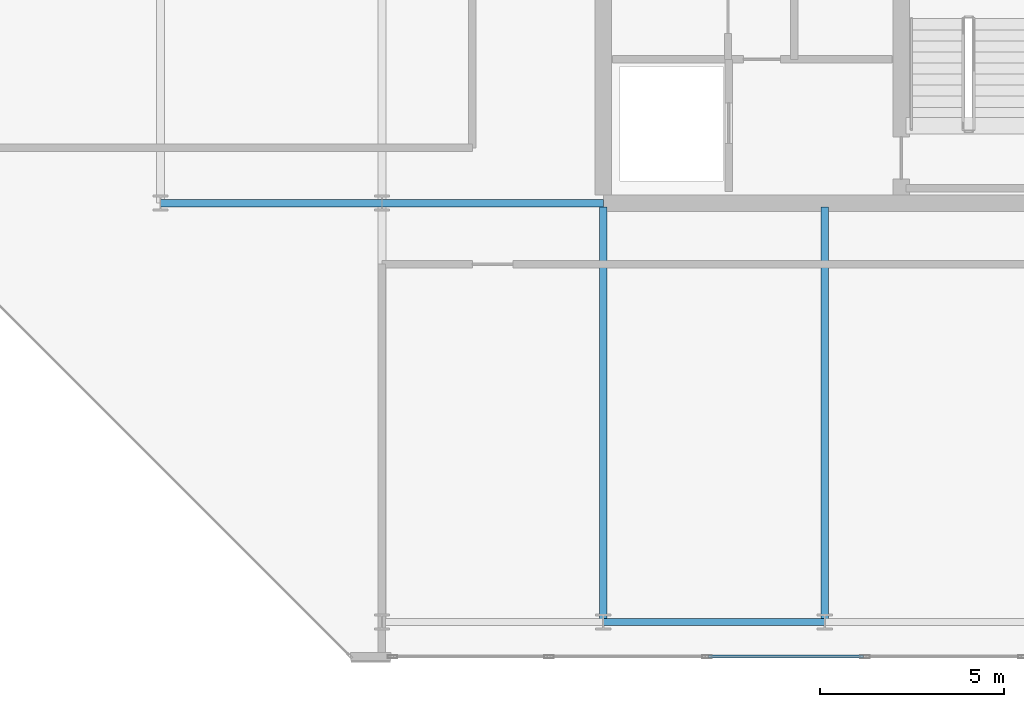
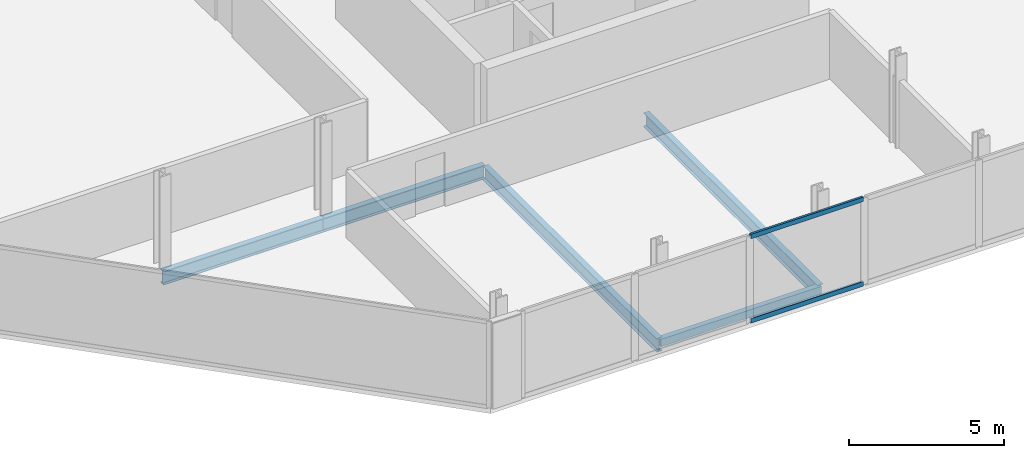
# One storey, part 3 of 16: 5 beams, 2 members, 1 element without a shape of its own.
"""IFC4 building model written with IfcOpenShell, lengths in metres."""

from ifc_helpers import new_model, si_unit, direction, frame, origin, origin_2d, place, context, subcontext, project, spatial, hollow_rectangle, i_section, extrude, material, layer, layer_set, material_profile, profile_set, type_object, element, aggregate, save


model = new_model("IFC4")

# Units and contexts
model_context = context("Model", 3, precision=1e-05, world=origin(), true_north=direction((0.0, 1.0)))
body_context = subcontext(model_context, "Body", "Model", "MODEL_VIEW")
ifc_project = project(units=[si_unit("LENGTHUNIT", "METRE"), si_unit("AREAUNIT", "SQUARE_METRE"), si_unit("VOLUMEUNIT", "CUBIC_METRE"), si_unit("PLANEANGLEUNIT", "RADIAN"), si_unit("MASSUNIT", "GRAM", prefix="KILO")], contexts=[model_context])

# Site, building, storey
site_placement = place(None, origin())
site = spatial("IfcSite", under=ifc_project, at=site_placement, CompositionType="ELEMENT")
building_placement = place(site_placement, origin())
building = spatial("IfcBuilding", under=site, at=building_placement, Name="Tanjung Sevakor Pilgrim Tower", CompositionType="ELEMENT")
storey_placement = place(building_placement, frame((0.0, 0.0, 271.590087890625)))
storey = spatial("IfcBuildingStorey", under=building, at=storey_placement, Name="L76", CompositionType="ELEMENT", Elevation=271.590087890625)

# Beams
ifc_material_1 = material(Name="Steel S355J2", Category="steel")
ifc_material_profile_1 = material_profile(ifc_material_1, i_section(OverallWidth=0.2119140625, OverallDepth=0.54443359375, WebThickness=0.0126953125, FlangeThickness=0.021240234375, FilletRadius=0.0126953125, at=origin_2d()))
ifc_profile_set_1 = profile_set([ifc_material_profile_1], Name="Steel S355J2")
beam_type_1 = type_object("IfcBeamType", Name="BM-B-G5-UB_533x210x122", PredefinedType="BEAM", material=ifc_profile_set_1)
for number, where, z_axis, x_axis, name in (
    (1, (66.0, 24.60009765625, -0.4921875), (1.0, 0.0, 0.0), (0.0, 1.0, 0.0), "L76 Primary Floor Girder EAST Y246-01"),
    (2, (72.0, 24.60009765625, -0.4921875), (1.0, 0.0, 0.0), (0.0, 1.0, 0.0), "L76 Primary Floor Girder EAST Y246-02"),
):
    element("IfcBeam", number, at=place(storey_placement, frame(where, z_axis=z_axis, x_axis=x_axis)), inside=storey, type_object=beam_type_1, Name=name, PredefinedType="BEAM", context=body_context, shape_type="SweptSolid", body=[
        extrude(i_section(OverallWidth=0.2119140625, OverallDepth=0.54443359375, WebThickness=0.0126953125, FlangeThickness=0.021240234375, FilletRadius=0.0126953125, at=origin_2d()), origin(), (0.0, 0.0, 1.0), 6.0),
    ])
ifc_material_2 = material(Name="Steel S355J2", Category="steel")
ifc_material_profile_2 = material_profile(ifc_material_2, i_section(OverallWidth=0.210693359375, OverallDepth=0.53955078125, WebThickness=0.01171875, FlangeThickness=0.018798828125, FilletRadius=0.0126953125, at=origin_2d()))
ifc_profile_set_2 = profile_set([ifc_material_profile_2], Name="Steel S355J2")
beam_type_2 = type_object("IfcBeamType", Name="BM-B-G6-UB_533x210x109", PredefinedType="BEAM", material=ifc_profile_set_2)
for number, where, z_axis, x_axis, name in (
    (3, (78.0, 13.25, -0.48974609375), (0.0, 1.0, 0.0), (-1.0, 0.0, 0.0), "L76 EAST Girder 005"),
    (4, (84.0, 13.25, -0.48974609375), (0.0, 1.0, 0.0), (-1.0, 0.0, 0.0), "L76 EAST Girder 007"),
):
    element("IfcBeam", number, at=place(storey_placement, frame(where, z_axis=z_axis, x_axis=x_axis)), inside=storey, type_object=beam_type_2, Name=name, PredefinedType="BEAM", context=body_context, shape_type="SweptSolid", body=[
        extrude(i_section(OverallWidth=0.210693359375, OverallDepth=0.53955078125, WebThickness=0.01171875, FlangeThickness=0.018798828125, FilletRadius=0.0126953125, at=origin_2d()), origin(), (0.0, 0.0, 1.0), 11.243896484375),
    ])
ifc_material_3 = material(Name="Steel S355J2", Category="steel")
ifc_material_profile_3 = material_profile(ifc_material_3, hollow_rectangle(XDim=0.199951171875, YDim=0.300048828125, WallThickness=0.012451171875, at=origin_2d()))
ifc_profile_set_3 = profile_set([ifc_material_profile_3], Name="Steel S355J2")
beam_type_3 = type_object("IfcBeamType", Name="BM-B-SP3-RHS_300x200x12.5", PredefinedType="SPANDREL", material=ifc_profile_set_3)
beam_placement = place(storey_placement, frame((78.0, 13.25, -0.3701171875), z_axis=(1.0, 0.0, 0.0), x_axis=(0.0, 1.0, 0.0)))
element("IfcBeam", 5, at=beam_placement, inside=storey, type_object=beam_type_3, Name="L76 Spandrel EAST S-03", PredefinedType="SPANDREL", context=body_context, shape_type="SweptSolid", body=[
    extrude(hollow_rectangle(XDim=0.199951171875, YDim=0.300048828125, WallThickness=0.012451171875, at=origin_2d()), origin(), (0.0, 0.0, 1.0), 6.0),
])

# Curtain wall, members
ifc_material_4 = material(Name="Aluminium 6063-T6 and Low-E Glass", Category="aluminium")
ifc_layer = layer(ifc_material_4, 0.219970703125)
ifc_layer_set = layer_set([ifc_layer], Name="CW-SYS-CRNE")
curtain_wall_type = type_object("IfcCurtainWallType", Name="CW-SYS-CRNE", PredefinedType="NOTDEFINED", material=ifc_layer_set)
curtain_wall_placement = place(storey_placement, origin())
curtain_wall = element("IfcCurtainWall", 6, at=curtain_wall_placement, inside=storey, type_object=curtain_wall_type, Name="L76 Curtain Wall CW-CRN-L76-EAST-0-1", PredefinedType="NOTDEFINED")
ifc_material_5 = material(Name="Aluminium 6063-T6", Category="aluminium")
ifc_material_profile_4 = material_profile(ifc_material_5, hollow_rectangle(XDim=0.080078125, YDim=0.179931640625, WallThickness=0.0048828125, at=origin_2d()))
ifc_profile_set_4 = profile_set([ifc_material_profile_4], Name="Aluminium 6063-T6")
member_type = type_object("IfcMemberType", Name="TYPE-CWT-3", PredefinedType="USERDEFINED", material=ifc_profile_set_4)
member_1_placement = place(storey_placement, frame((80.84912109375, 12.31005859375, 0.039794921875), z_axis=(1.0, 0.0, 0.0), x_axis=(0.0, 1.0, 0.0)))
member_1 = element("IfcMember", 7, at=member_1_placement, type_object=member_type, Name="CW-CRE transom 3.1", ObjectType="TRANSOM", PredefinedType="USERDEFINED", context=body_context, shape_type="SweptSolid", body=[
    extrude(hollow_rectangle(XDim=0.080078125, YDim=0.179931640625, WallThickness=0.0048828125, at=origin_2d()), origin(), (0.0, 0.0, 1.0), 4.20166015625),
])
member_2_placement = place(storey_placement, frame((80.84912109375, 12.31005859375, 3.369873046875), z_axis=(1.0, 0.0, 0.0), x_axis=(0.0, 1.0, 0.0)))
member_2 = element("IfcMember", 8, at=member_2_placement, type_object=member_type, Name="CW-CRE transom 3.2", ObjectType="TRANSOM", PredefinedType="USERDEFINED", context=body_context, shape_type="SweptSolid", body=[
    extrude(hollow_rectangle(XDim=0.080078125, YDim=0.179931640625, WallThickness=0.0048828125, at=origin_2d()), origin(), (0.0, 0.0, 1.0), 4.20166015625),
])
aggregate(curtain_wall, [member_1, member_2])

save(model, "model.ifc")
